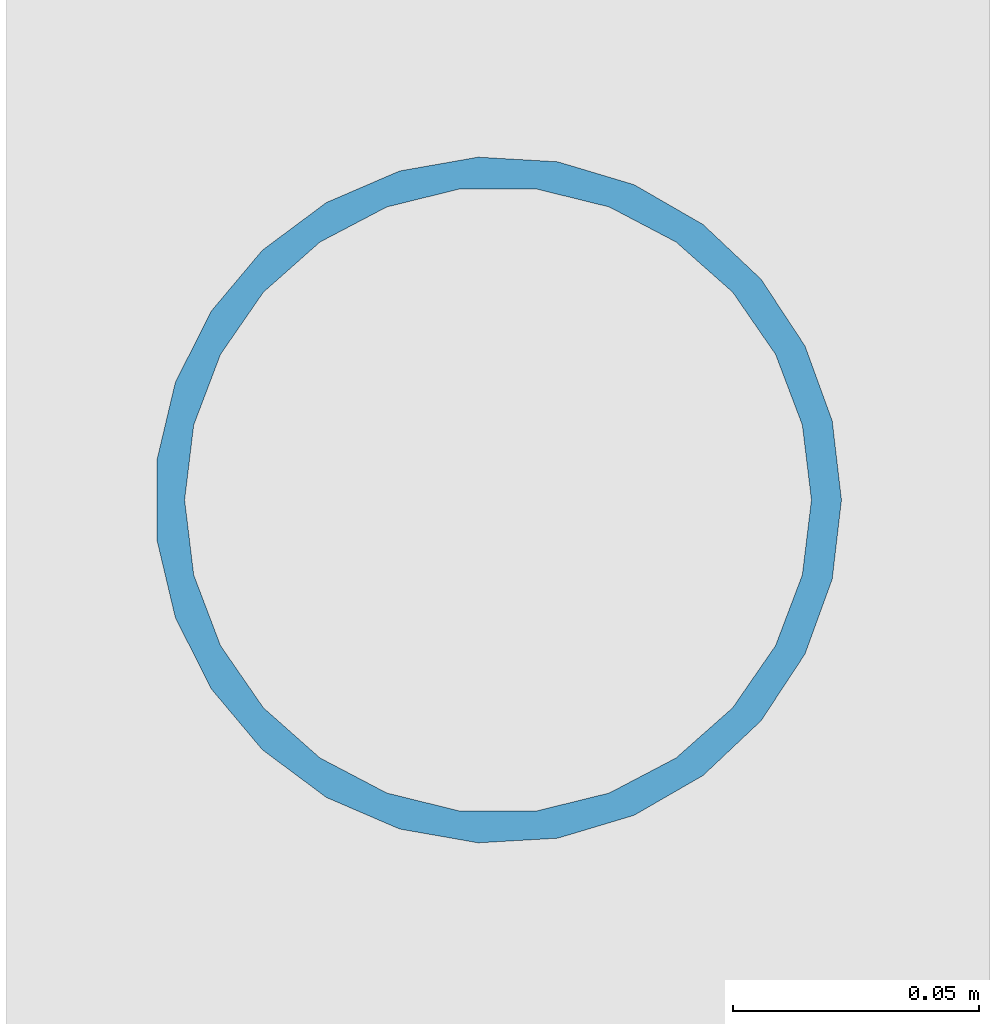
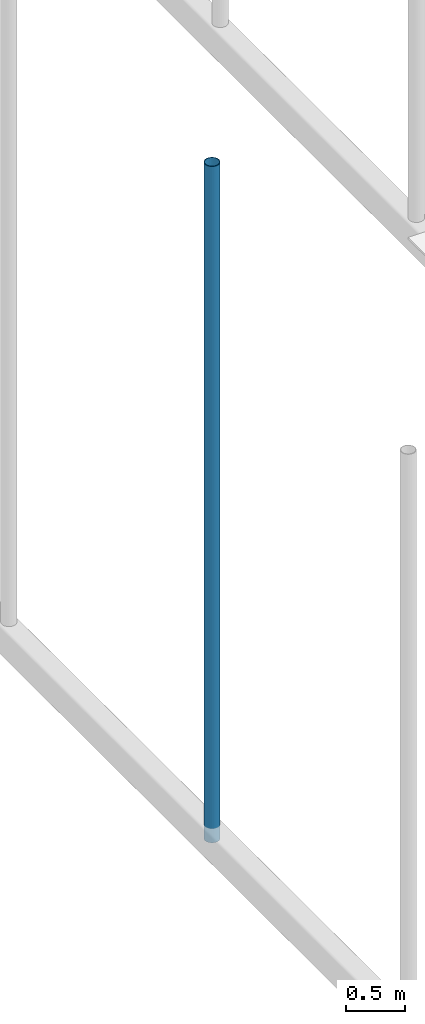
# One storey, part 33 of 63: 1 member.
"""IFC4 building model written with IfcOpenShell, lengths in metres."""

from ifc_helpers import new_model, si_unit, direction, frame, origin, origin_2d, place, context, subcontext, project, spatial, hollow_circle, extrude, material, material_profile, profile_set, type_object, element, save


model = new_model("IFC4")

# Units and contexts
model_context = context("Model", 3, precision=1e-05, world=origin(), true_north=direction((0.0, 1.0)))
body_context = subcontext(model_context, "Body", "Model", "MODEL_VIEW")
ifc_project = project(units=[si_unit("LENGTHUNIT", "METRE"), si_unit("AREAUNIT", "SQUARE_METRE"), si_unit("VOLUMEUNIT", "CUBIC_METRE"), si_unit("PLANEANGLEUNIT", "RADIAN"), si_unit("MASSUNIT", "GRAM", prefix="KILO")], contexts=[model_context])

# Site, building, storey
site_placement = place(None, origin())
site = spatial("IfcSite", under=ifc_project, at=site_placement, CompositionType="ELEMENT")
building_placement = place(site_placement, origin())
building = spatial("IfcBuilding", under=site, at=building_placement, Name="Varnakota Square Police Headquarters", CompositionType="ELEMENT")
storey_placement = place(building_placement, frame((0.0, 0.0, 22.199951171875)))
storey = spatial("IfcBuildingStorey", under=building, at=storey_placement, Name="L05", CompositionType="ELEMENT", Elevation=22.199951171875)

# Member
ifc_material = material(Name="Steel IS 2062 Grade 350", Category="steel")
ifc_material_profile = material_profile(ifc_material, hollow_circle(Radius=0.06982421875, WallThickness=0.006103515625, at=origin_2d()), Name="CHS 139.7x6.0")
ifc_profile_set = profile_set([ifc_material_profile], Name="Steel IS 2062 Grade 350")
member_type = type_object("IfcMemberType", Name="MEM-HNG-CHS139", PredefinedType="STRUT", material=ifc_profile_set)
member_placement = place(storey_placement, frame((90.0, 80.54248046875, -0.14990234375), z_axis=(0.0, 0.0, 1.0), x_axis=(1.0, 0.0, 0.0)))
element("IfcMember", 1, at=member_placement, inside=storey, type_object=member_type, Name="Barrel vault hanger strut V2-R06-N4", PredefinedType="STRUT", context=body_context, shape_type="SweptSolid", body=[
    extrude(hollow_circle(Radius=0.06982421875, WallThickness=0.006103515625, at=origin_2d()), origin(), (0.0, 0.0, 1.0), 7.02490234375),
])

save(model, "model.ifc")
